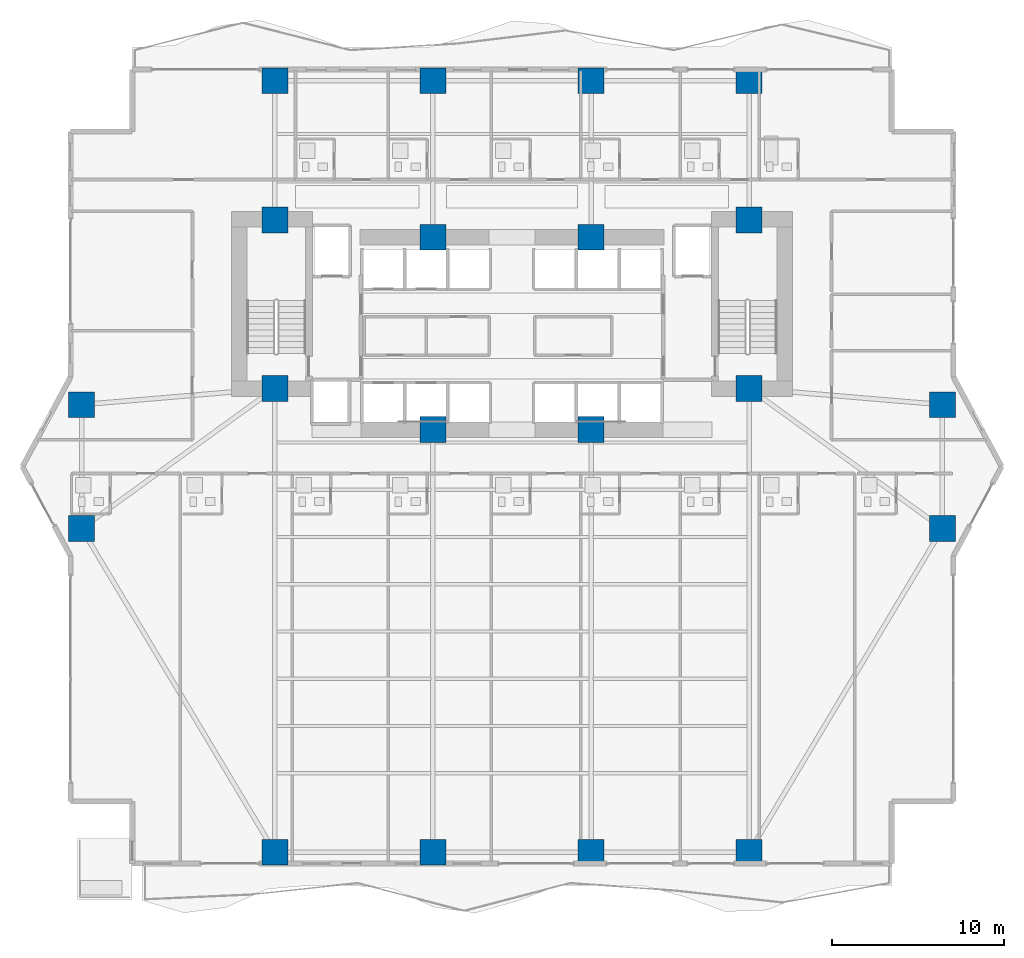
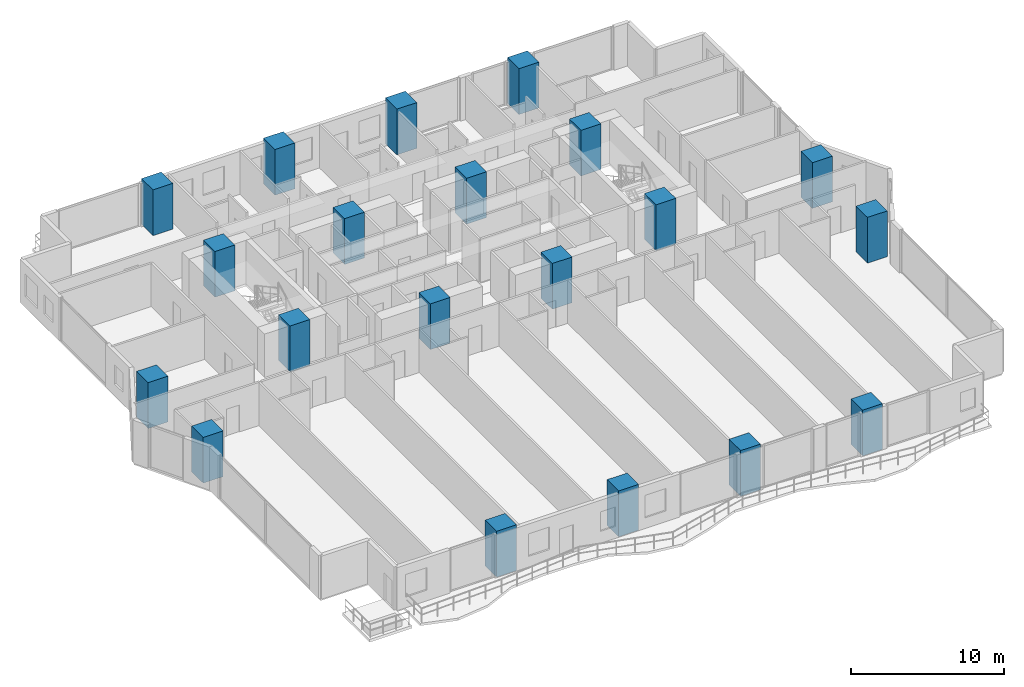
# One storey, part 1 of 28: 20 columns.
"""IFC4 building model written with IfcOpenShell, lengths in metres."""

from ifc_helpers import new_model, si_unit, direction, frame, origin, origin_2d, place, context, subcontext, project, spatial, rectangle, extrude, material, material_profile, profile_set, type_object, element, save


model = new_model("IFC4")

# Units and contexts
model_context = context("Model", 3, precision=1e-05, world=origin(), true_north=direction((0.0, 1.0)))
body_context = subcontext(model_context, "Body", "Model", "MODEL_VIEW")
ifc_project = project(units=[si_unit("LENGTHUNIT", "METRE"), si_unit("AREAUNIT", "SQUARE_METRE"), si_unit("VOLUMEUNIT", "CUBIC_METRE"), si_unit("PLANEANGLEUNIT", "RADIAN"), si_unit("MASSUNIT", "GRAM", prefix="KILO")], contexts=[model_context])

# Site, building, storey
site_placement = place(None, origin())
site = spatial("IfcSite", under=ifc_project, at=site_placement, CompositionType="ELEMENT")
building_placement = place(site_placement, origin())
building = spatial("IfcBuilding", under=site, at=building_placement, Name="Zuhayl Quay Hotel", CompositionType="ELEMENT")
storey_placement = place(building_placement, frame((0.0, 0.0, 34.89990234375)))
storey = spatial("IfcBuildingStorey", under=building, at=storey_placement, Name="L07", CompositionType="ELEMENT", Elevation=34.89990234375)

# Columns
ifc_material = material(Name="Concrete C70/85", Category="concrete")
ifc_material_profile_1 = material_profile(ifc_material, rectangle(XDim=1.5, YDim=1.5, at=origin_2d()), Name="RC1500X1500")
ifc_profile_set_1 = profile_set([ifc_material_profile_1], Name="Concrete C70/85")
column_type_1 = type_object("IfcColumnType", Name="CL_CC1_1500", PredefinedType="COLUMN", material=ifc_profile_set_1)
for number, where, z_axis, x_axis, name in (
    (1, (-13.800048828125, 14.35009765625, 0.0), (0.0, 0.0, 1.0), (1.0, 0.0, 0.0), "L07 Core Column CC_NW"),
    (2, (-4.60009765625, 13.35009765625, 0.0), (0.0, 0.0, 1.0), (1.0, 0.0, 0.0), "L07 Core Column CC_CNW"),
    (3, (4.60009765625, 13.35009765625, 0.0), (0.0, 0.0, 1.0), (1.0, 0.0, 0.0), "L07 Core Column CC_CNE"),
    (4, (13.800048828125, 14.35009765625, 0.0), (0.0, 0.0, 1.0), (1.0, 0.0, 0.0), "L07 Core Column CC_NE"),
    (5, (-13.800048828125, 4.550048828125, 0.0), (0.0, 0.0, 1.0), (1.0, 0.0, 0.0), "L07 Core Column CC_SW"),
    (6, (-4.60009765625, 2.14990234375, 0.0), (0.0, 0.0, 1.0), (1.0, 0.0, 0.0), "L07 Core Column CC_CSW"),
    (7, (4.60009765625, 2.14990234375, 0.0), (0.0, 0.0, 1.0), (1.0, 0.0, 0.0), "L07 Core Column CC_CSE"),
    (8, (13.800048828125, 4.550048828125, 0.0), (0.0, 0.0, 1.0), (1.0, 0.0, 0.0), "L07 Core Column CC_SE"),
):
    element("IfcColumn", number, at=place(storey_placement, frame(where, z_axis=z_axis, x_axis=x_axis)), inside=storey, type_object=column_type_1, Name=name, PredefinedType="COLUMN", context=body_context, shape_type="SweptSolid", body=[
        extrude(rectangle(XDim=1.5, YDim=1.5, at=origin_2d()), origin(), (0.0, 0.0, 1.0), 3.650146484375),
    ])
ifc_material_profile_2 = material_profile(ifc_material, rectangle(XDim=1.5, YDim=1.5, at=origin_2d()), Name="RC1500X1500")
ifc_profile_set_2 = profile_set([ifc_material_profile_2], Name="Concrete C70/85")
column_type_2 = type_object("IfcColumnType", Name="CL_MC1_1500", PredefinedType="COLUMN", material=ifc_profile_set_2)
for number, where, z_axis, x_axis, name in (
    (9, (-13.800048828125, -22.449951171875, 0.0), (0.0, 0.0, 1.0), (1.0, 0.0, 0.0), "L07 Mega-Column MC_S1"),
    (10, (-4.60009765625, -22.449951171875, 0.0), (0.0, 0.0, 1.0), (1.0, 0.0, 0.0), "L07 Mega-Column MC_S2"),
    (11, (4.60009765625, -22.449951171875, 0.0), (0.0, 0.0, 1.0), (1.0, 0.0, 0.0), "L07 Mega-Column MC_S3"),
    (12, (13.800048828125, -22.449951171875, 0.0), (0.0, 0.0, 1.0), (1.0, 0.0, 0.0), "L07 Mega-Column MC_S4"),
    (13, (-13.800048828125, 22.449951171875, 0.0), (0.0, 0.0, 1.0), (1.0, 0.0, 0.0), "L07 Mega-Column MC_N1"),
    (14, (-4.60009765625, 22.449951171875, 0.0), (0.0, 0.0, 1.0), (1.0, 0.0, 0.0), "L07 Mega-Column MC_N2"),
    (15, (4.60009765625, 22.449951171875, 0.0), (0.0, 0.0, 1.0), (1.0, 0.0, 0.0), "L07 Mega-Column MC_N3"),
    (16, (13.800048828125, 22.449951171875, 0.0), (0.0, 0.0, 1.0), (1.0, 0.0, 0.0), "L07 Mega-Column MC_N4"),
    (17, (-25.050048828125, -3.60009765625, 0.0), (0.0, 0.0, 1.0), (1.0, 0.0, 0.0), "L07 Mega-Column MC_W1"),
    (18, (-25.050048828125, 3.60009765625, 0.0), (0.0, 0.0, 1.0), (1.0, 0.0, 0.0), "L07 Mega-Column MC_W2"),
    (19, (25.050048828125, -3.60009765625, 0.0), (0.0, 0.0, 1.0), (1.0, 0.0, 0.0), "L07 Mega-Column MC_E1"),
    (20, (25.050048828125, 3.60009765625, 0.0), (0.0, 0.0, 1.0), (1.0, 0.0, 0.0), "L07 Mega-Column MC_E2"),
):
    element("IfcColumn", number, at=place(storey_placement, frame(where, z_axis=z_axis, x_axis=x_axis)), inside=storey, type_object=column_type_2, Name=name, PredefinedType="COLUMN", context=body_context, shape_type="SweptSolid", body=[
        extrude(rectangle(XDim=1.5, YDim=1.5, at=origin_2d()), origin(), (0.0, 0.0, 1.0), 3.650146484375),
    ])

save(model, "model.ifc")
